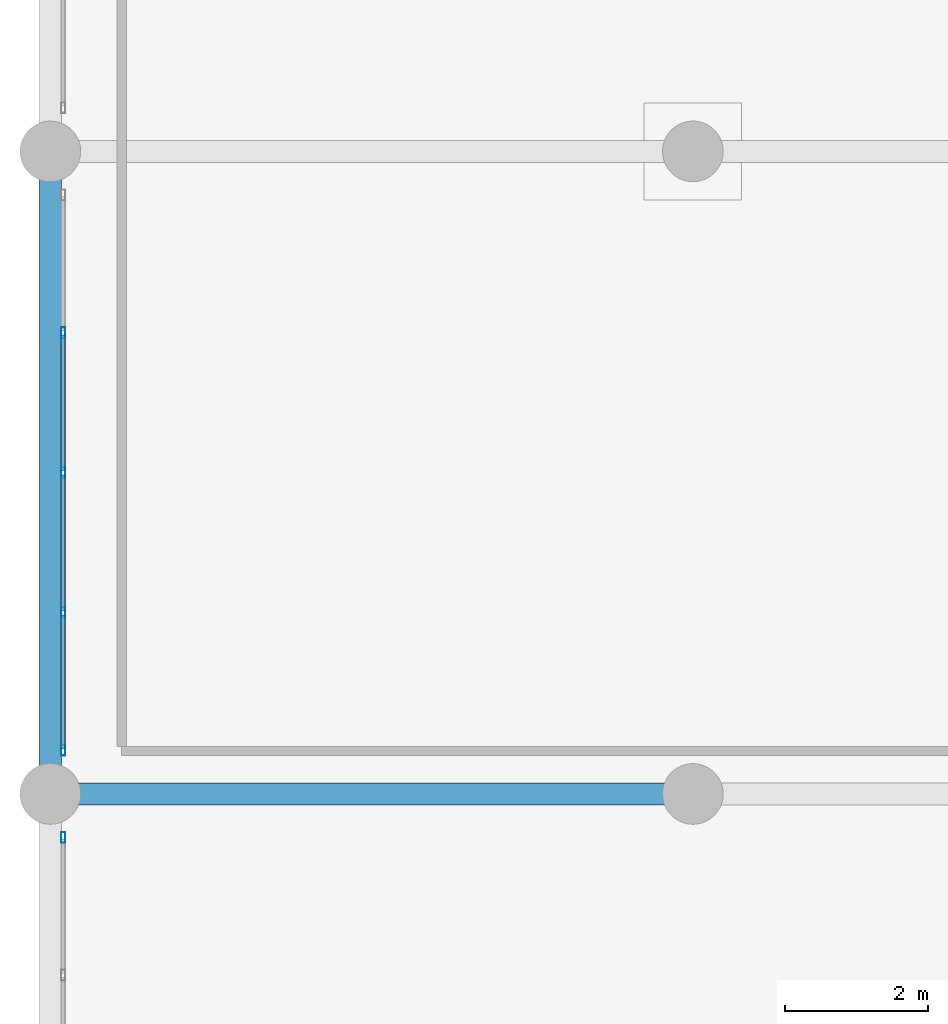
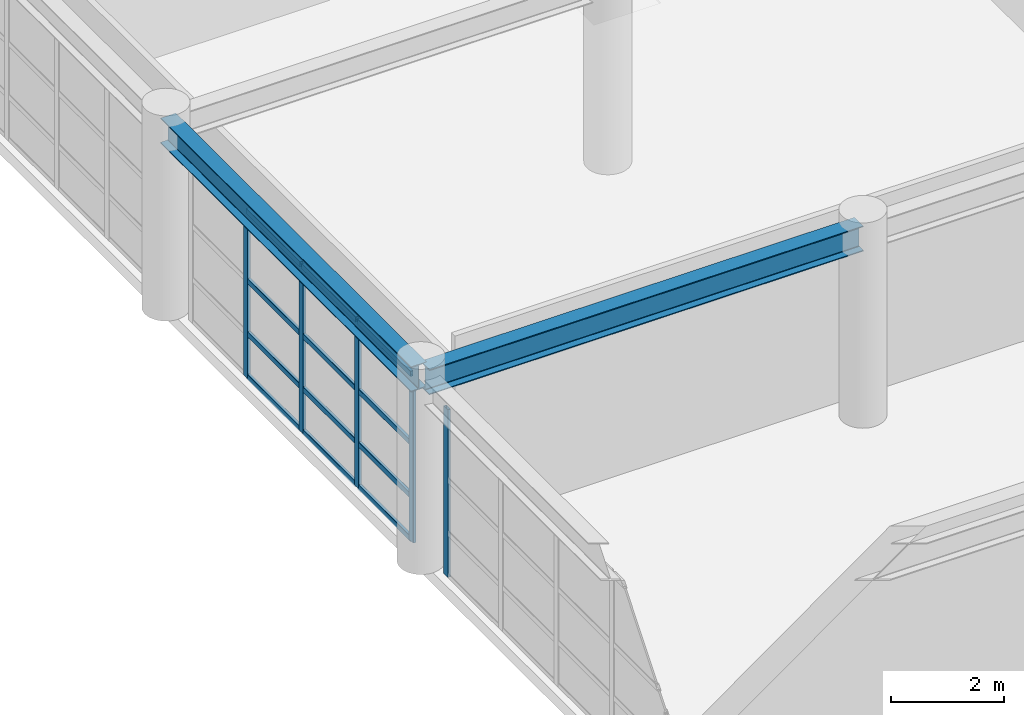
# One storey, part 17 of 133: 17 members, 2 beams, 2 elements without a shape of their own.
"""IFC4 building model written with IfcOpenShell, lengths in metres."""

import ifcopenshell
import ifcopenshell.guid

model = None  # the IFC model being written
_history = None  # IfcOwnerHistory: only IFC2X3 demands one
_inside = {}  # id of a spatial element -> (the spatial element, [elements in it])
_under = {}  # id of a project, library or spatial element -> (it, [spatial elements below it])
_declared = {}  # id of a project -> (the project, [libraries it declares])
_typed = {}  # id of a type object -> (the type object, [elements of that type])
_made_of = {}  # id of a material, layer set ... -> (it, [elements and type objects made of it])


def new_model(schema):
    """Start an empty IFC model of exactly this schema.

    Asked for "IFC4X3", IfcOpenShell would pick the latest addendum, in which some entities
    have other attributes; the version numbers below select the first issue.
    IFC2X3 requires an IfcOwnerHistory on every rooted entity: one is made here for all.
    """
    global model, _history
    if schema == "IFC4X3":
        model = ifcopenshell.file(schema_version=(4, 3, 0, 0))
    else:
        model = ifcopenshell.file(schema=schema)
    _inside.clear()
    _under.clear()
    _declared.clear()
    _typed.clear()
    _made_of.clear()
    _history = None
    if model.schema == "IFC2X3":
        org = make("IfcOrganization", Name="unknown")
        user = make(
            "IfcPersonAndOrganization",
            ThePerson=make("IfcPerson", FamilyName="unknown"),
            TheOrganization=org,
        )
        app = make(
            "IfcApplication",
            ApplicationDeveloper=org,
            Version="unknown",
            ApplicationFullName="unknown",
            ApplicationIdentifier="unknown",
        )
        _history = make(
            "IfcOwnerHistory",
            OwningUser=user,
            OwningApplication=app,
            ChangeAction="ADDED",
            CreationDate=0,
        )
    return model


def make(cls, **values):
    """One entity of the class cls with the attributes given. An attribute that is None is left unset."""
    return model.create_entity(
        cls, **{name: value for name, value in values.items() if value is not None}
    )


def rooted(cls, **values):
    """An entity with a GlobalId (a new one), such as an element, a storey or a relation."""
    return make(cls, GlobalId=ifcopenshell.guid.new(), OwnerHistory=_history, **values)


def si_unit(unit_type, name, prefix=None):
    """IfcSIUnit, for example si_unit("LENGTHUNIT", "METRE", prefix="MILLI")."""
    return make("IfcSIUnit", UnitType=unit_type, Prefix=prefix, Name=name)


def assignment(units):
    """IfcUnitAssignment: the units of a project."""
    return None if units is None else make("IfcUnitAssignment", Units=units)


def point(xyz):
    """IfcCartesianPoint."""
    return None if xyz is None else make("IfcCartesianPoint", Coordinates=xyz)


def direction(xyz):
    """IfcDirection."""
    return None if xyz is None else make("IfcDirection", DirectionRatios=xyz)


def frame(location, z_axis=None, x_axis=None):
    """IfcAxis2Placement3D, a coordinate frame: its origin and axes. An axis left out is left unset."""
    return make(
        "IfcAxis2Placement3D",
        Location=point(location),
        Axis=direction(z_axis),
        RefDirection=direction(x_axis),
    )


def frame_2d(location, x_axis=None):
    """IfcAxis2Placement2D, a coordinate frame in the plane: its origin and x axis."""
    return make(
        "IfcAxis2Placement2D", Location=point(location), RefDirection=direction(x_axis)
    )


def origin():
    """The frame at (0, 0, 0) with its axes left unset."""
    return frame((0.0, 0.0, 0.0))


def origin_2d():
    """The frame at (0, 0) in the plane with its x axis left unset."""
    return frame_2d((0.0, 0.0))


def place(relative_to, where):
    """IfcLocalPlacement: puts the frame where relative to a parent placement (None: the world)."""
    return make(
        "IfcLocalPlacement", PlacementRelTo=relative_to, RelativePlacement=where
    )


def context(
    kind, dimensions, precision=None, world=None, true_north=None, identifier=None
):
    """IfcGeometricRepresentationContext, for example the 3D "Model" context."""
    return make(
        "IfcGeometricRepresentationContext",
        ContextIdentifier=identifier,
        ContextType=kind,
        CoordinateSpaceDimension=dimensions,
        Precision=precision,
        WorldCoordinateSystem=world,
        TrueNorth=true_north,
    )


def subcontext(parent, identifier, kind, view, scale=None):
    """IfcGeometricRepresentationSubContext, for example "Body" below "Model"."""
    return make(
        "IfcGeometricRepresentationSubContext",
        ContextIdentifier=identifier,
        ContextType=kind,
        ParentContext=parent,
        TargetScale=scale,
        TargetView=view,
    )


def project(units=None, contexts=None):
    """IfcProject with its units and contexts."""
    return rooted(
        "IfcProject",
        Name="project",
        RepresentationContexts=contexts,
        UnitsInContext=assignment(units),
    )


def spatial(cls, under=None, at=None, **own):
    """A site, building, storey or space (cls), placed at a placement, below another one or the project."""
    s = rooted(cls, ObjectPlacement=at, **own)
    if under is not None:
        _under.setdefault(under.id(), (under, []))[1].append(s)
    return s


def profile(cls, at=None, kind="AREA", **sizes):
    """A parametric profile (cls). Its sizes go by their IFC names, for example OverallWidth=200.0."""
    return make(cls, ProfileType=kind, Position=at, **sizes)


def hollow_rectangle(**sizes):
    """IfcRectangleHollowProfileDef."""
    return profile("IfcRectangleHollowProfileDef", **sizes)


def i_section(**sizes):
    """IfcIShapeProfileDef."""
    return profile("IfcIShapeProfileDef", **sizes)


def extrude(swept, where, along, depth):
    """IfcExtrudedAreaSolid: the profile swept, set in the frame where, extruded along a direction by depth."""
    return make(
        "IfcExtrudedAreaSolid",
        SweptArea=swept,
        Position=where,
        ExtrudedDirection=direction(along),
        Depth=depth,
    )


def shape(context_of_items, identifier, shape_type, items):
    """IfcShapeRepresentation: the items that make up one representation, for example the "Body"."""
    return make(
        "IfcShapeRepresentation",
        ContextOfItems=context_of_items,
        RepresentationIdentifier=identifier,
        RepresentationType=shape_type,
        Items=items,
    )


def material(Name=None, Category=None):
    """IfcMaterial."""
    return make("IfcMaterial", Name=Name, Category=Category)


def material_profile(
    of_material, cross_section, Name=None, Category=None, Priority=None
):
    """IfcMaterialProfile: a cross section and its material."""
    return make(
        "IfcMaterialProfile",
        Name=Name,
        Material=of_material,
        Profile=cross_section,
        Priority=Priority,
        Category=Category,
    )


def profile_set(profiles, Name=None, composite=None):
    """IfcMaterialProfileSet."""
    return make(
        "IfcMaterialProfileSet",
        Name=Name,
        MaterialProfiles=profiles,
        CompositeProfile=composite,
    )


def made_of(thing, what):
    """Note that an element or type object is made of a material, layer set ...; save() writes the relation."""
    if what is not None:
        _made_of.setdefault(what.id(), (what, []))[1].append(thing)
    return thing


def type_object(cls, material=None, **own):
    """A type object (cls), such as IfcWallType, which elements share."""
    return made_of(rooted(cls, **own), material)


def element(
    cls,
    number,
    at=None,
    inside=None,
    cuts=None,
    type_object=None,
    material=None,
    context=None,
    identifier="Body",
    shape_type=None,
    held_by="IfcProductDefinitionShape",
    body=None,
    shapes=None,
    **own,
):
    """One element of the class cls, such as IfcWall. Its Tag is "e" and its number.

    at: its placement. inside: the storey or other place that contains it. cuts: it is an
    opening in that element (IfcRelVoidsElement). A single representation is given by context,
    identifier, shape_type and body (its items); several are given by shapes. held_by: the class
    of the entity that holds the representations. save() writes the other relations.
    """
    e = rooted(cls, Tag="e%d" % number, ObjectPlacement=at, **own)
    if body is not None:
        shapes = [shape(context, identifier, shape_type, body)]
    if shapes is not None:
        e.Representation = make(held_by, Representations=shapes)
    if inside is not None:
        _inside.setdefault(inside.id(), (inside, []))[1].append(e)
    if cuts is not None:
        rooted(
            "IfcRelVoidsElement", RelatingBuildingElement=cuts, RelatedOpeningElement=e
        )
    if type_object is not None:
        _typed.setdefault(type_object.id(), (type_object, []))[1].append(e)
    return made_of(e, material)


def aggregate(whole, parts):
    """IfcRelAggregates: a whole, such as a stair, and the parts it consists of."""
    return rooted("IfcRelAggregates", RelatingObject=whole, RelatedObjects=parts)


def save(model, path):
    """Write the relations noted so far, then the file.

    IfcRelAggregates (storeys below a building ...), IfcRelContainedInSpatialStructure (elements
    in a storey), IfcRelDefinesByType, IfcRelAssociatesMaterial and IfcRelDeclares: one each for
    every whole, place, type object, material and project.
    """
    for whole, parts in _under.values():
        aggregate(whole, parts)
    for where, things in _inside.values():
        rooted(
            "IfcRelContainedInSpatialStructure",
            RelatedElements=things,
            RelatingStructure=where,
        )
    for kind, things in _typed.values():
        rooted("IfcRelDefinesByType", RelatedObjects=things, RelatingType=kind)
    for what, things in _made_of.values():
        rooted("IfcRelAssociatesMaterial", RelatedObjects=things, RelatingMaterial=what)
    for by, libraries in _declared.values():
        rooted("IfcRelDeclares", RelatingContext=by, RelatedDefinitions=libraries)
    model.write(path)


model = new_model("IFC4")

# Units and contexts
model_context = context("Model", 3, precision=1e-05, world=origin(), true_north=direction((0.0, 1.0)))
body_context = subcontext(model_context, "Body", "Model", "MODEL_VIEW")
ifc_project = project(units=[si_unit("LENGTHUNIT", "METRE"), si_unit("AREAUNIT", "SQUARE_METRE"), si_unit("VOLUMEUNIT", "CUBIC_METRE"), si_unit("PLANEANGLEUNIT", "RADIAN"), si_unit("MASSUNIT", "GRAM", prefix="KILO")], contexts=[model_context])

# Site, building, storey
site_placement = place(None, origin())
site = spatial("IfcSite", under=ifc_project, at=site_placement, CompositionType="ELEMENT")
building_placement = place(site_placement, origin())
building = spatial("IfcBuilding", under=site, at=building_placement, Name="Miravela Opera House", CompositionType="ELEMENT")
storey_placement = place(building_placement, frame((0.0, 0.0, 5.10009765625)))
storey = spatial("IfcBuildingStorey", under=building, at=storey_placement, Name="L01", CompositionType="ELEMENT", Elevation=5.10009765625)

# Curtain wall, member
ifc_material_1 = material(Name="Anodised architectural bronze aluminium 6063-T6", Category="aluminium")
curtain_wall_type = type_object("IfcCurtainWallType", Name="ARC-CW-07", PredefinedType="NOTDEFINED", material=ifc_material_1)
curtain_wall_1_placement = place(storey_placement, origin())
curtain_wall_1 = element("IfcCurtainWall", 1, at=curtain_wall_1_placement, inside=storey, type_object=curtain_wall_type, Name="Courtyard Arcade Curtain Wall CW-L01-196", PredefinedType="NOTDEFINED")
ifc_material_profile_1 = material_profile(ifc_material_1, hollow_rectangle(XDim=0.06005859375, YDim=0.14990234375, WallThickness=0.00390625, InnerFilletRadius=0.001953125, OuterFilletRadius=0.00390625, at=origin_2d()), Name="CWM-60X150")
ifc_profile_set_1 = profile_set([ifc_material_profile_1])
member_type_1 = type_object("IfcMemberType", Name="ARC-CWM-150", PredefinedType="MULLION", material=ifc_profile_set_1)
member_1_placement = place(storey_placement, frame((0.179931640625, 8.389892578125, 0.0), z_axis=(0.0, 0.0, 1.0), x_axis=(-1.0, 0.0, 0.0)))
member_1 = element("IfcMember", 2, at=member_1_placement, type_object=member_type_1, Name="CW-07 mullion 5", PredefinedType="MULLION", context=body_context, shape_type="SweptSolid", body=[
    extrude(hollow_rectangle(XDim=0.06005859375, YDim=0.14990234375, WallThickness=0.00390625, InnerFilletRadius=0.001953125, OuterFilletRadius=0.00390625, at=origin_2d()), origin(), (0.0, 0.0, 1.0), 3.60986328125),
])
aggregate(curtain_wall_1, [member_1])

# Curtain wall, members
curtain_wall_2_placement = place(storey_placement, origin())
curtain_wall_2 = element("IfcCurtainWall", 3, at=curtain_wall_2_placement, inside=storey, type_object=curtain_wall_type, Name="Courtyard Arcade Curtain Wall CW-L01-197", PredefinedType="NOTDEFINED")
member_2_placement = place(storey_placement, frame((0.179931640625, 9.610107421875, 0.0), z_axis=(0.0, 0.0, 1.0), x_axis=(-1.0, 0.0, 0.0)))
member_2 = element("IfcMember", 4, at=member_2_placement, type_object=member_type_1, Name="CW-07 mullion 1", PredefinedType="MULLION", context=body_context, shape_type="SweptSolid", body=[
    extrude(hollow_rectangle(XDim=0.06005859375, YDim=0.14990234375, WallThickness=0.00390625, InnerFilletRadius=0.001953125, OuterFilletRadius=0.00390625, at=origin_2d()), origin(), (0.0, 0.0, 1.0), 3.60986328125),
])
member_3_placement = place(storey_placement, frame((0.179931640625, 11.5400390625, 0.0), z_axis=(0.0, 0.0, 1.0), x_axis=(-1.0, 0.0, 0.0)))
member_3 = element("IfcMember", 5, at=member_3_placement, type_object=member_type_1, Name="CW-07 mullion 2", PredefinedType="MULLION", context=body_context, shape_type="SweptSolid", body=[
    extrude(hollow_rectangle(XDim=0.06005859375, YDim=0.14990234375, WallThickness=0.00390625, InnerFilletRadius=0.001953125, OuterFilletRadius=0.00390625, at=origin_2d()), origin(), (0.0, 0.0, 1.0), 3.60986328125),
])
member_4_placement = place(storey_placement, frame((0.179931640625, 13.5, 0.0), z_axis=(0.0, 0.0, 1.0), x_axis=(-1.0, 0.0, 0.0)))
member_4 = element("IfcMember", 6, at=member_4_placement, type_object=member_type_1, Name="CW-07 mullion 3", PredefinedType="MULLION", context=body_context, shape_type="SweptSolid", body=[
    extrude(hollow_rectangle(XDim=0.06005859375, YDim=0.14990234375, WallThickness=0.00390625, InnerFilletRadius=0.001953125, OuterFilletRadius=0.00390625, at=origin_2d()), origin(), (0.0, 0.0, 1.0), 3.60986328125),
])
member_5_placement = place(storey_placement, frame((0.179931640625, 15.4599609375, 0.0), z_axis=(0.0, 0.0, 1.0), x_axis=(-1.0, 0.0, 0.0)))
member_5 = element("IfcMember", 7, at=member_5_placement, type_object=member_type_1, Name="CW-07 mullion 4", PredefinedType="MULLION", context=body_context, shape_type="SweptSolid", body=[
    extrude(hollow_rectangle(XDim=0.06005859375, YDim=0.14990234375, WallThickness=0.00390625, InnerFilletRadius=0.001953125, OuterFilletRadius=0.00390625, at=origin_2d()), origin(), (0.0, 0.0, 1.0), 3.60986328125),
])
ifc_material_profile_2 = material_profile(ifc_material_1, hollow_rectangle(XDim=0.06005859375, YDim=0.114990234375, WallThickness=0.00390625, InnerFilletRadius=0.001953125, OuterFilletRadius=0.00390625, at=origin_2d()), Name="CWT-60X115")
ifc_profile_set_2 = profile_set([ifc_material_profile_2])
member_type_2 = type_object("IfcMemberType", Name="ARC-CWT-115", PredefinedType="USERDEFINED", material=ifc_profile_set_2)
member_6_placement = place(storey_placement, frame((0.179931640625, 9.639892578125, 0.02978515625), z_axis=(0.0, 1.0, 0.0), x_axis=(-1.0, 0.0, 0.0)))
member_6 = element("IfcMember", 8, at=member_6_placement, type_object=member_type_2, Name="CW-07 transom 1.1", ObjectType="TRANSOM", PredefinedType="USERDEFINED", context=body_context, shape_type="SweptSolid", body=[
    extrude(hollow_rectangle(XDim=0.06005859375, YDim=0.114990234375, WallThickness=0.00390625, InnerFilletRadius=0.001953125, OuterFilletRadius=0.00390625, at=origin_2d()), origin(), (0.0, 0.0, 1.0), 1.8701171875),
])
member_7_placement = place(storey_placement, frame((0.179931640625, 9.639892578125, 0.949951171875), z_axis=(0.0, 1.0, 0.0), x_axis=(-1.0, 0.0, 0.0)))
member_7 = element("IfcMember", 9, at=member_7_placement, type_object=member_type_2, Name="CW-07 transom 1.2", ObjectType="TRANSOM", PredefinedType="USERDEFINED", context=body_context, shape_type="SweptSolid", body=[
    extrude(hollow_rectangle(XDim=0.06005859375, YDim=0.114990234375, WallThickness=0.00390625, InnerFilletRadius=0.001953125, OuterFilletRadius=0.00390625, at=origin_2d()), origin(), (0.0, 0.0, 1.0), 1.8701171875),
])
member_8_placement = place(storey_placement, frame((0.179931640625, 9.639892578125, 2.09375), z_axis=(0.0, 1.0, 0.0), x_axis=(-1.0, 0.0, 0.0)))
member_8 = element("IfcMember", 10, at=member_8_placement, type_object=member_type_2, Name="CW-07 transom 1.3", ObjectType="TRANSOM", PredefinedType="USERDEFINED", context=body_context, shape_type="SweptSolid", body=[
    extrude(hollow_rectangle(XDim=0.06005859375, YDim=0.114990234375, WallThickness=0.00390625, InnerFilletRadius=0.001953125, OuterFilletRadius=0.00390625, at=origin_2d()), origin(), (0.0, 0.0, 1.0), 1.8701171875),
])
member_9_placement = place(storey_placement, frame((0.179931640625, 9.639892578125, 3.579833984375), z_axis=(0.0, 1.0, 0.0), x_axis=(-1.0, 0.0, 0.0)))
member_9 = element("IfcMember", 11, at=member_9_placement, type_object=member_type_2, Name="CW-07 transom 1.4", ObjectType="TRANSOM", PredefinedType="USERDEFINED", context=body_context, shape_type="SweptSolid", body=[
    extrude(hollow_rectangle(XDim=0.06005859375, YDim=0.114990234375, WallThickness=0.00390625, InnerFilletRadius=0.001953125, OuterFilletRadius=0.00390625, at=origin_2d()), origin(), (0.0, 0.0, 1.0), 1.8701171875),
])
member_10_placement = place(storey_placement, frame((0.179931640625, 11.570068359375, 0.02978515625), z_axis=(0.0, 1.0, 0.0), x_axis=(-1.0, 0.0, 0.0)))
member_10 = element("IfcMember", 12, at=member_10_placement, type_object=member_type_2, Name="CW-07 transom 2.1", ObjectType="TRANSOM", PredefinedType="USERDEFINED", context=body_context, shape_type="SweptSolid", body=[
    extrude(hollow_rectangle(XDim=0.06005859375, YDim=0.114990234375, WallThickness=0.00390625, InnerFilletRadius=0.001953125, OuterFilletRadius=0.00390625, at=origin_2d()), origin(), (0.0, 0.0, 1.0), 1.89990234375),
])
member_11_placement = place(storey_placement, frame((0.179931640625, 11.570068359375, 0.949951171875), z_axis=(0.0, 1.0, 0.0), x_axis=(-1.0, 0.0, 0.0)))
member_11 = element("IfcMember", 13, at=member_11_placement, type_object=member_type_2, Name="CW-07 transom 2.2", ObjectType="TRANSOM", PredefinedType="USERDEFINED", context=body_context, shape_type="SweptSolid", body=[
    extrude(hollow_rectangle(XDim=0.06005859375, YDim=0.114990234375, WallThickness=0.00390625, InnerFilletRadius=0.001953125, OuterFilletRadius=0.00390625, at=origin_2d()), origin(), (0.0, 0.0, 1.0), 1.89990234375),
])
member_12_placement = place(storey_placement, frame((0.179931640625, 11.570068359375, 2.09375), z_axis=(0.0, 1.0, 0.0), x_axis=(-1.0, 0.0, 0.0)))
member_12 = element("IfcMember", 14, at=member_12_placement, type_object=member_type_2, Name="CW-07 transom 2.3", ObjectType="TRANSOM", PredefinedType="USERDEFINED", context=body_context, shape_type="SweptSolid", body=[
    extrude(hollow_rectangle(XDim=0.06005859375, YDim=0.114990234375, WallThickness=0.00390625, InnerFilletRadius=0.001953125, OuterFilletRadius=0.00390625, at=origin_2d()), origin(), (0.0, 0.0, 1.0), 1.89990234375),
])
member_13_placement = place(storey_placement, frame((0.179931640625, 11.570068359375, 3.579833984375), z_axis=(0.0, 1.0, 0.0), x_axis=(-1.0, 0.0, 0.0)))
member_13 = element("IfcMember", 15, at=member_13_placement, type_object=member_type_2, Name="CW-07 transom 2.4", ObjectType="TRANSOM", PredefinedType="USERDEFINED", context=body_context, shape_type="SweptSolid", body=[
    extrude(hollow_rectangle(XDim=0.06005859375, YDim=0.114990234375, WallThickness=0.00390625, InnerFilletRadius=0.001953125, OuterFilletRadius=0.00390625, at=origin_2d()), origin(), (0.0, 0.0, 1.0), 1.89990234375),
])
member_14_placement = place(storey_placement, frame((0.179931640625, 13.530029296875, 0.02978515625), z_axis=(0.0, 1.0, 0.0), x_axis=(-1.0, 0.0, 0.0)))
member_14 = element("IfcMember", 16, at=member_14_placement, type_object=member_type_2, Name="CW-07 transom 3.1", ObjectType="TRANSOM", PredefinedType="USERDEFINED", context=body_context, shape_type="SweptSolid", body=[
    extrude(hollow_rectangle(XDim=0.06005859375, YDim=0.114990234375, WallThickness=0.00390625, InnerFilletRadius=0.001953125, OuterFilletRadius=0.00390625, at=origin_2d()), origin(), (0.0, 0.0, 1.0), 1.89990234375),
])
member_15_placement = place(storey_placement, frame((0.179931640625, 13.530029296875, 0.949951171875), z_axis=(0.0, 1.0, 0.0), x_axis=(-1.0, 0.0, 0.0)))
member_15 = element("IfcMember", 17, at=member_15_placement, type_object=member_type_2, Name="CW-07 transom 3.2", ObjectType="TRANSOM", PredefinedType="USERDEFINED", context=body_context, shape_type="SweptSolid", body=[
    extrude(hollow_rectangle(XDim=0.06005859375, YDim=0.114990234375, WallThickness=0.00390625, InnerFilletRadius=0.001953125, OuterFilletRadius=0.00390625, at=origin_2d()), origin(), (0.0, 0.0, 1.0), 1.89990234375),
])
member_16_placement = place(storey_placement, frame((0.179931640625, 13.530029296875, 2.09375), z_axis=(0.0, 1.0, 0.0), x_axis=(-1.0, 0.0, 0.0)))
member_16 = element("IfcMember", 18, at=member_16_placement, type_object=member_type_2, Name="CW-07 transom 3.3", ObjectType="TRANSOM", PredefinedType="USERDEFINED", context=body_context, shape_type="SweptSolid", body=[
    extrude(hollow_rectangle(XDim=0.06005859375, YDim=0.114990234375, WallThickness=0.00390625, InnerFilletRadius=0.001953125, OuterFilletRadius=0.00390625, at=origin_2d()), origin(), (0.0, 0.0, 1.0), 1.89990234375),
])
member_17_placement = place(storey_placement, frame((0.179931640625, 13.530029296875, 3.579833984375), z_axis=(0.0, 1.0, 0.0), x_axis=(-1.0, 0.0, 0.0)))
member_17 = element("IfcMember", 19, at=member_17_placement, type_object=member_type_2, Name="CW-07 transom 3.4", ObjectType="TRANSOM", PredefinedType="USERDEFINED", context=body_context, shape_type="SweptSolid", body=[
    extrude(hollow_rectangle(XDim=0.06005859375, YDim=0.114990234375, WallThickness=0.00390625, InnerFilletRadius=0.001953125, OuterFilletRadius=0.00390625, at=origin_2d()), origin(), (0.0, 0.0, 1.0), 1.89990234375),
])
aggregate(curtain_wall_2, [member_2, member_3, member_4, member_5, member_6, member_7, member_8, member_9, member_10, member_11, member_12, member_13, member_14, member_15, member_16, member_17])

# Beams
ifc_material_2 = material(Name="Structural steel ASTM A992 Gr. 50", Category="steel")
ifc_material_profile_3 = material_profile(ifc_material_2, i_section(OverallWidth=0.31201171875, OverallDepth=0.54296875, WebThickness=0.0126953125, FlangeThickness=0.020263671875, FilletRadius=0.01611328125, at=origin_2d()), Name="W530X150")
ifc_profile_set_3 = profile_set([ifc_material_profile_3])
beam_type = type_object("IfcBeamType", Name="STR-BM-W530X150", PredefinedType="BEAM", material=ifc_profile_set_3)
for number, where, z_axis, x_axis, name in (
    (20, (0.0, 9.080078125, 3.908447265625), (0.0, 1.0, 0.0), (-1.0, 0.0, 0.0), "Roof Eave Girder ROOF-V5-SOUTH W2"),
    (21, (0.080078125, 9.0, 3.908447265625), (1.0, 0.0, 0.0), (0.0, 1.0, 0.0), "Roof King-Post Transverse Tie Girder ROOF-V5-SOUTH T1.1"),
):
    element("IfcBeam", number, at=place(storey_placement, frame(where, z_axis=z_axis, x_axis=x_axis)), inside=storey, type_object=beam_type, Name=name, PredefinedType="BEAM", context=body_context, shape_type="SweptSolid", body=[
        extrude(i_section(OverallWidth=0.31201171875, OverallDepth=0.54296875, WebThickness=0.0126953125, FlangeThickness=0.020263671875, FilletRadius=0.01611328125, at=origin_2d()), origin(), (0.0, 0.0, 1.0), 8.83984375),
    ])

save(model, "model.ifc")
